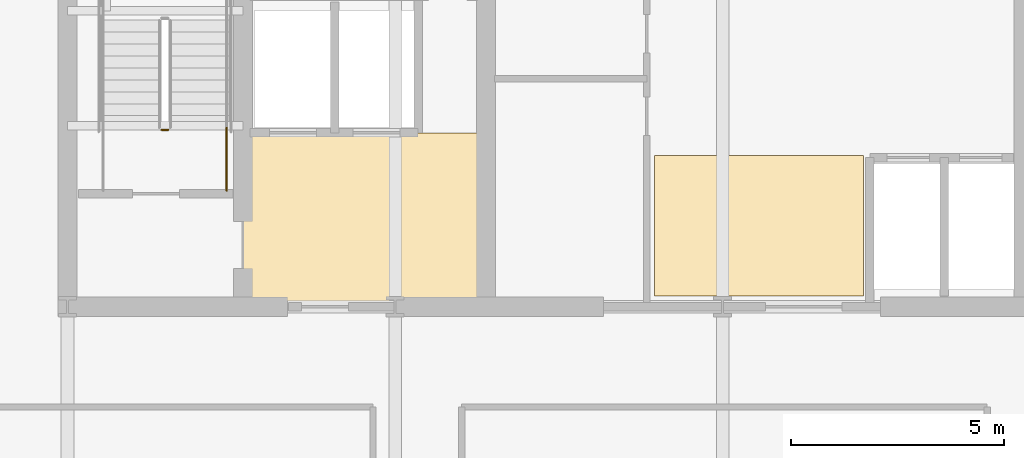
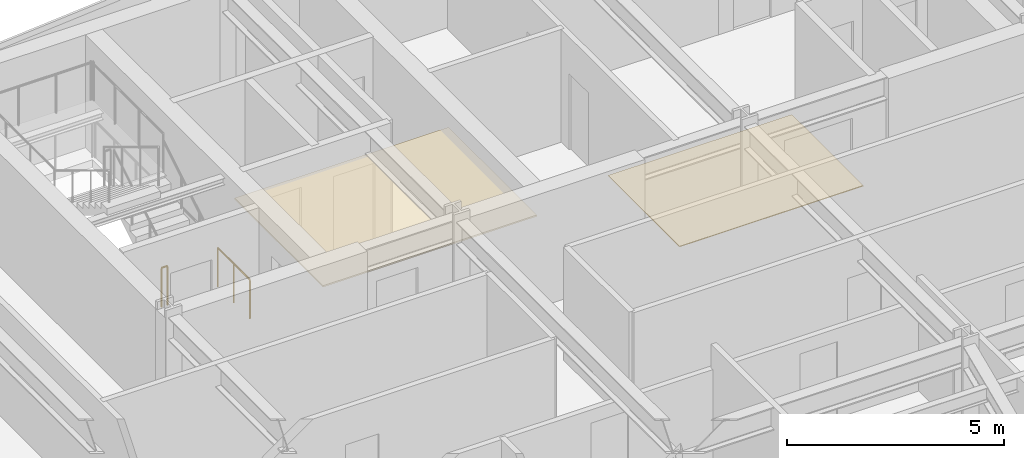
# One storey, part 28 of 32: 2 coverings, 2 railings.
"""IFC4 building model written with IfcOpenShell, lengths in metres."""

import ifcopenshell
import ifcopenshell.guid

model = None  # the IFC model being written
_history = None  # IfcOwnerHistory: only IFC2X3 demands one
_inside = {}  # id of a spatial element -> (the spatial element, [elements in it])
_under = {}  # id of a project, library or spatial element -> (it, [spatial elements below it])
_declared = {}  # id of a project -> (the project, [libraries it declares])
_typed = {}  # id of a type object -> (the type object, [elements of that type])
_made_of = {}  # id of a material, layer set ... -> (it, [elements and type objects made of it])


def new_model(schema):
    """Start an empty IFC model of exactly this schema.

    Asked for "IFC4X3", IfcOpenShell would pick the latest addendum, in which some entities
    have other attributes; the version numbers below select the first issue.
    IFC2X3 requires an IfcOwnerHistory on every rooted entity: one is made here for all.
    """
    global model, _history
    if schema == "IFC4X3":
        model = ifcopenshell.file(schema_version=(4, 3, 0, 0))
    else:
        model = ifcopenshell.file(schema=schema)
    _inside.clear()
    _under.clear()
    _declared.clear()
    _typed.clear()
    _made_of.clear()
    _history = None
    if model.schema == "IFC2X3":
        org = make("IfcOrganization", Name="unknown")
        user = make(
            "IfcPersonAndOrganization",
            ThePerson=make("IfcPerson", FamilyName="unknown"),
            TheOrganization=org,
        )
        app = make(
            "IfcApplication",
            ApplicationDeveloper=org,
            Version="unknown",
            ApplicationFullName="unknown",
            ApplicationIdentifier="unknown",
        )
        _history = make(
            "IfcOwnerHistory",
            OwningUser=user,
            OwningApplication=app,
            ChangeAction="ADDED",
            CreationDate=0,
        )
    return model


def make(cls, **values):
    """One entity of the class cls with the attributes given. An attribute that is None is left unset."""
    return model.create_entity(
        cls, **{name: value for name, value in values.items() if value is not None}
    )


def rooted(cls, **values):
    """An entity with a GlobalId (a new one), such as an element, a storey or a relation."""
    return make(cls, GlobalId=ifcopenshell.guid.new(), OwnerHistory=_history, **values)


def si_unit(unit_type, name, prefix=None):
    """IfcSIUnit, for example si_unit("LENGTHUNIT", "METRE", prefix="MILLI")."""
    return make("IfcSIUnit", UnitType=unit_type, Prefix=prefix, Name=name)


def assignment(units):
    """IfcUnitAssignment: the units of a project."""
    return None if units is None else make("IfcUnitAssignment", Units=units)


def point(xyz):
    """IfcCartesianPoint."""
    return None if xyz is None else make("IfcCartesianPoint", Coordinates=xyz)


def direction(xyz):
    """IfcDirection."""
    return None if xyz is None else make("IfcDirection", DirectionRatios=xyz)


def frame(location, z_axis=None, x_axis=None):
    """IfcAxis2Placement3D, a coordinate frame: its origin and axes. An axis left out is left unset."""
    return make(
        "IfcAxis2Placement3D",
        Location=point(location),
        Axis=direction(z_axis),
        RefDirection=direction(x_axis),
    )


def frame_2d(location, x_axis=None):
    """IfcAxis2Placement2D, a coordinate frame in the plane: its origin and x axis."""
    return make(
        "IfcAxis2Placement2D", Location=point(location), RefDirection=direction(x_axis)
    )


def origin():
    """The frame at (0, 0, 0) with its axes left unset."""
    return frame((0.0, 0.0, 0.0))


def origin_2d():
    """The frame at (0, 0) in the plane with its x axis left unset."""
    return frame_2d((0.0, 0.0))


def place(relative_to, where):
    """IfcLocalPlacement: puts the frame where relative to a parent placement (None: the world)."""
    return make(
        "IfcLocalPlacement", PlacementRelTo=relative_to, RelativePlacement=where
    )


def context(
    kind, dimensions, precision=None, world=None, true_north=None, identifier=None
):
    """IfcGeometricRepresentationContext, for example the 3D "Model" context."""
    return make(
        "IfcGeometricRepresentationContext",
        ContextIdentifier=identifier,
        ContextType=kind,
        CoordinateSpaceDimension=dimensions,
        Precision=precision,
        WorldCoordinateSystem=world,
        TrueNorth=true_north,
    )


def subcontext(parent, identifier, kind, view, scale=None):
    """IfcGeometricRepresentationSubContext, for example "Body" below "Model"."""
    return make(
        "IfcGeometricRepresentationSubContext",
        ContextIdentifier=identifier,
        ContextType=kind,
        ParentContext=parent,
        TargetScale=scale,
        TargetView=view,
    )


def project(units=None, contexts=None):
    """IfcProject with its units and contexts."""
    return rooted(
        "IfcProject",
        Name="project",
        RepresentationContexts=contexts,
        UnitsInContext=assignment(units),
    )


def spatial(cls, under=None, at=None, **own):
    """A site, building, storey or space (cls), placed at a placement, below another one or the project."""
    s = rooted(cls, ObjectPlacement=at, **own)
    if under is not None:
        _under.setdefault(under.id(), (under, []))[1].append(s)
    return s


def polyline(points):
    """IfcPolyline through the points."""
    return make("IfcPolyline", Points=[point(p) for p in points])


def profile(cls, at=None, kind="AREA", **sizes):
    """A parametric profile (cls). Its sizes go by their IFC names, for example OverallWidth=200.0."""
    return make(cls, ProfileType=kind, Position=at, **sizes)


def circle(**sizes):
    """IfcCircleProfileDef."""
    return profile("IfcCircleProfileDef", **sizes)


def outline(outer, holes=None, kind="AREA"):
    """IfcArbitraryClosedProfileDef: a profile drawn as a closed curve; with holes, ...WithVoids."""
    if holes is None:
        return make("IfcArbitraryClosedProfileDef", ProfileType=kind, OuterCurve=outer)
    return make(
        "IfcArbitraryProfileDefWithVoids",
        ProfileType=kind,
        OuterCurve=outer,
        InnerCurves=holes,
    )


def extrude(swept, where, along, depth):
    """IfcExtrudedAreaSolid: the profile swept, set in the frame where, extruded along a direction by depth."""
    return make(
        "IfcExtrudedAreaSolid",
        SweptArea=swept,
        Position=where,
        ExtrudedDirection=direction(along),
        Depth=depth,
    )


def shape(context_of_items, identifier, shape_type, items):
    """IfcShapeRepresentation: the items that make up one representation, for example the "Body"."""
    return make(
        "IfcShapeRepresentation",
        ContextOfItems=context_of_items,
        RepresentationIdentifier=identifier,
        RepresentationType=shape_type,
        Items=items,
    )


def material(Name=None, Category=None):
    """IfcMaterial."""
    return make("IfcMaterial", Name=Name, Category=Category)


def layer(
    of_material, thickness, ventilated=None, Name=None, Category=None, Priority=None
):
    """IfcMaterialLayer: one layer of a wall or slab, of a material (None: an air gap)."""
    return make(
        "IfcMaterialLayer",
        Material=of_material,
        LayerThickness=thickness,
        IsVentilated=ventilated,
        Name=Name,
        Category=Category,
        Priority=Priority,
    )


def layer_set(layers, Name=None):
    """IfcMaterialLayerSet."""
    return make("IfcMaterialLayerSet", MaterialLayers=layers, LayerSetName=Name)


def made_of(thing, what):
    """Note that an element or type object is made of a material, layer set ...; save() writes the relation."""
    if what is not None:
        _made_of.setdefault(what.id(), (what, []))[1].append(thing)
    return thing


def type_object(cls, material=None, **own):
    """A type object (cls), such as IfcWallType, which elements share."""
    return made_of(rooted(cls, **own), material)


def element(
    cls,
    number,
    at=None,
    inside=None,
    cuts=None,
    type_object=None,
    material=None,
    context=None,
    identifier="Body",
    shape_type=None,
    held_by="IfcProductDefinitionShape",
    body=None,
    shapes=None,
    **own,
):
    """One element of the class cls, such as IfcWall. Its Tag is "e" and its number.

    at: its placement. inside: the storey or other place that contains it. cuts: it is an
    opening in that element (IfcRelVoidsElement). A single representation is given by context,
    identifier, shape_type and body (its items); several are given by shapes. held_by: the class
    of the entity that holds the representations. save() writes the other relations.
    """
    e = rooted(cls, Tag="e%d" % number, ObjectPlacement=at, **own)
    if body is not None:
        shapes = [shape(context, identifier, shape_type, body)]
    if shapes is not None:
        e.Representation = make(held_by, Representations=shapes)
    if inside is not None:
        _inside.setdefault(inside.id(), (inside, []))[1].append(e)
    if cuts is not None:
        rooted(
            "IfcRelVoidsElement", RelatingBuildingElement=cuts, RelatedOpeningElement=e
        )
    if type_object is not None:
        _typed.setdefault(type_object.id(), (type_object, []))[1].append(e)
    return made_of(e, material)


def aggregate(whole, parts):
    """IfcRelAggregates: a whole, such as a stair, and the parts it consists of."""
    return rooted("IfcRelAggregates", RelatingObject=whole, RelatedObjects=parts)


def save(model, path):
    """Write the relations noted so far, then the file.

    IfcRelAggregates (storeys below a building ...), IfcRelContainedInSpatialStructure (elements
    in a storey), IfcRelDefinesByType, IfcRelAssociatesMaterial and IfcRelDeclares: one each for
    every whole, place, type object, material and project.
    """
    for whole, parts in _under.values():
        aggregate(whole, parts)
    for where, things in _inside.values():
        rooted(
            "IfcRelContainedInSpatialStructure",
            RelatedElements=things,
            RelatingStructure=where,
        )
    for kind, things in _typed.values():
        rooted("IfcRelDefinesByType", RelatedObjects=things, RelatingType=kind)
    for what, things in _made_of.values():
        rooted("IfcRelAssociatesMaterial", RelatedObjects=things, RelatingMaterial=what)
    for by, libraries in _declared.values():
        rooted("IfcRelDeclares", RelatingContext=by, RelatedDefinitions=libraries)
    model.write(path)


model = new_model("IFC4")

# Units and contexts
model_context = context("Model", 3, precision=1e-05, world=origin(), true_north=direction((0.0, 1.0)))
body_context = subcontext(model_context, "Body", "Model", "MODEL_VIEW")
ifc_project = project(units=[si_unit("LENGTHUNIT", "METRE"), si_unit("AREAUNIT", "SQUARE_METRE"), si_unit("VOLUMEUNIT", "CUBIC_METRE"), si_unit("PLANEANGLEUNIT", "RADIAN"), si_unit("MASSUNIT", "GRAM", prefix="KILO")], contexts=[model_context])

# Site, building, storey
site_placement = place(None, origin())
site = spatial("IfcSite", under=ifc_project, at=site_placement, CompositionType="ELEMENT")
building_placement = place(site_placement, origin())
building = spatial("IfcBuilding", under=site, at=building_placement, Name="Yelkora Congress Tower", CompositionType="ELEMENT")
storey_placement = place(building_placement, frame((0.0, 0.0, 130.5)))
storey = spatial("IfcBuildingStorey", under=building, at=storey_placement, Name="L35", CompositionType="ELEMENT", Elevation=130.5)

# Coverings
ifc_material_1 = material(Name="Perforated mineral-fibre acoustic ceiling", Category="gypsum")
ifc_layer_1 = layer(ifc_material_1, 0.0400390625)
ifc_layer_set_1 = layer_set([ifc_layer_1], Name="Perforated mineral-fibre acoustic ceiling")
covering_type_1 = type_object("IfcCoveringType", Name="COV-CEIL-ACOUSTIC-40", PredefinedType="CEILING", material=ifc_layer_set_1)
covering_1_placement = place(storey_placement, frame((0.0, 0.0, 2.39990234375)))
element("IfcCovering", 1, at=covering_1_placement, inside=storey, type_object=covering_type_1, Name="L35 Firefighting Lobby Acoustic Ceiling", PredefinedType="CEILING", context=body_context, shape_type="SweptSolid", body=[
    extrude(outline(polyline([(27.14990234375, 35.39990234375), (32.85009765625, 35.39990234375), (32.85009765625, 39.47998046875), (27.14990234375, 39.47998046875), (27.14990234375, 35.39990234375)])), origin(), (0.0, 0.0, 1.0), 0.0400390625),
])
ifc_material_2 = material(Name="Polished Anatolian grey granite tile", Category="masonry")
ifc_layer_2 = layer(ifc_material_2, 0.02001953125)
ifc_layer_set_2 = layer_set([ifc_layer_2], Name="Polished Anatolian grey granite tile")
covering_type_2 = type_object("IfcCoveringType", Name="COV-FLOOR-GRANITE-20", PredefinedType="FLOORING", material=ifc_layer_set_2)
covering_2_placement = place(storey_placement, origin())
element("IfcCovering", 2, at=covering_2_placement, inside=storey, type_object=covering_type_2, Name="L35 Lift Lobby Granite Flooring", PredefinedType="FLOORING", context=body_context, shape_type="SweptSolid", body=[
    extrude(outline(polyline([(36.800048828125, 35.64990234375), (41.699951171875, 35.64990234375), (41.699951171875, 38.949951171875), (36.800048828125, 38.949951171875), (36.800048828125, 35.64990234375)])), origin(), (0.0, 0.0, 1.0), 0.02001953125),
])

# Railings
ifc_material_3 = material(Name="Painted galvanised steel stair well guard with vertical infill", Category="steel")
ifc_layer_3 = layer(ifc_material_3, 0.06005859375)
ifc_layer_set_3 = layer_set([ifc_layer_3], Name="Painted galvanised steel stair well guard with vertical infill")
railing_type = type_object("IfcRailingType", Name="RAIL-STAIR-GUARD-1120", PredefinedType="GUARDRAIL", material=ifc_layer_set_3)
railing_1_placement = place(storey_placement, frame((25.39990234375, 39.550048828125, 0.0)))
element("IfcRailing", 3, at=railing_1_placement, inside=storey, type_object=railing_type, Name="ST-01 L35 Stair Well Guardrail 7", PredefinedType="GUARDRAIL", context=body_context, shape_type="SweptSolid", body=[
    extrude(circle(Radius=0.02392578125, at=origin_2d()), frame((0.0, 0.0, 1.09619140625), z_axis=(-1.0, 0.0, 0.0), x_axis=(0.0, -1.0, 0.0)), (0.0, 0.0, 1.0), 0.159912109375),
    extrude(circle(Radius=0.02099609375, at=origin_2d()), origin(), (0.0, 0.0, 1.0), 1.072021484375),
    extrude(circle(Radius=0.02099609375, at=origin_2d()), frame((-0.159912109375, 0.0, 0.0)), (0.0, 0.0, 1.0), 1.072021484375),
])
railing_2_placement = place(storey_placement, frame((26.77001953125, 38.1201171875, 0.0)))
element("IfcRailing", 4, at=railing_2_placement, inside=storey, type_object=railing_type, Name="ST-01 L35 Stair Well Guardrail 8", PredefinedType="GUARDRAIL", context=body_context, shape_type="SweptSolid", body=[
    extrude(circle(Radius=0.02392578125, at=origin_2d()), frame((0.0, 0.0, 1.09619140625), z_axis=(0.0, 1.0, 0.0), x_axis=(-1.0, 0.0, 0.0)), (0.0, 0.0, 1.0), 1.47998046875),
    extrude(circle(Radius=0.02099609375, at=origin_2d()), origin(), (0.0, 0.0, 1.0), 1.072021484375),
    extrude(circle(Radius=0.02099609375, at=origin_2d()), frame((0.0, 0.739990234375, 0.0)), (0.0, 0.0, 1.0), 1.072021484375),
    extrude(circle(Radius=0.02099609375, at=origin_2d()), frame((0.0, 1.47998046875, 0.0)), (0.0, 0.0, 1.0), 1.072021484375),
])

save(model, "model.ifc")
